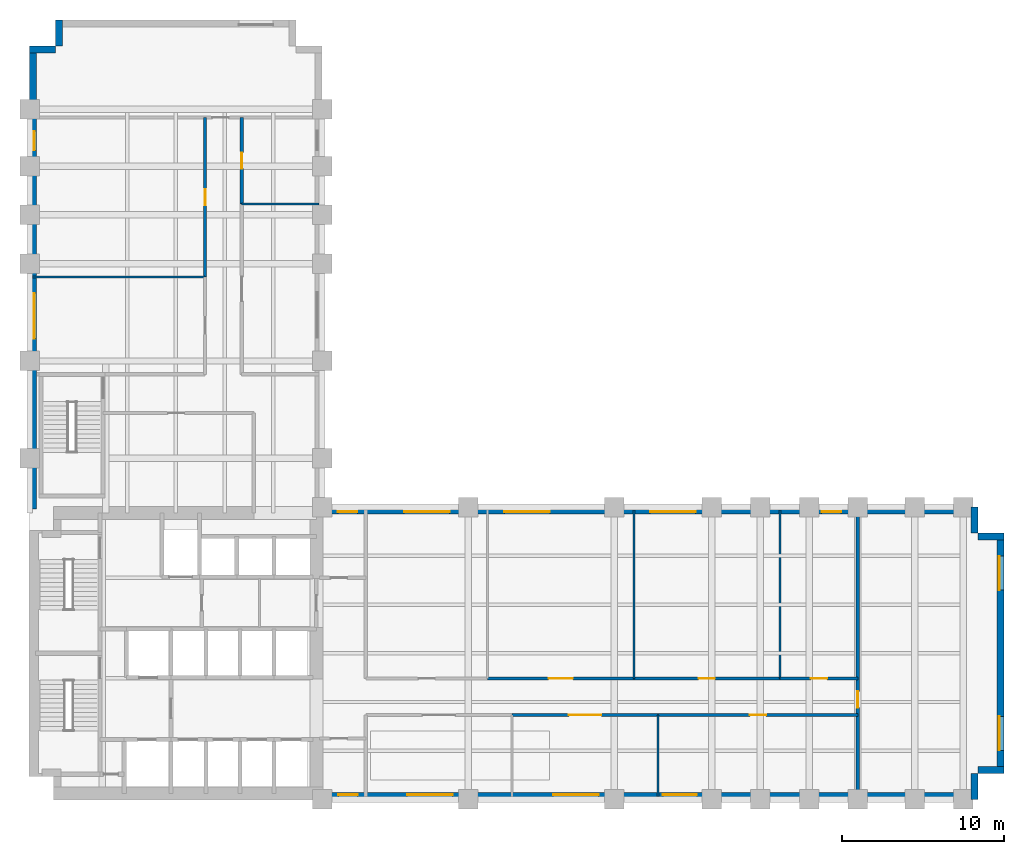
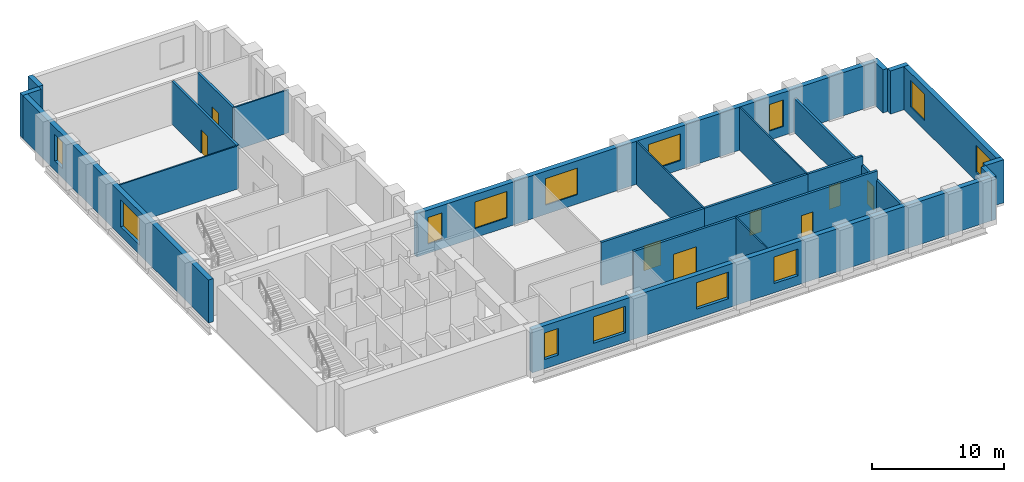
# One storey, part 5 of 7: 23 walls, 13 windows, 8 doors, 21 openings.
"""IFC4 building model written with IfcOpenShell, lengths in metres."""

from ifc_helpers import new_model, si_unit, direction, frame, frame_2d, origin, place, context, subcontext, project, spatial, rectangle, extrude, material, layer, layer_set, type_object, element, fill, save


model = new_model("IFC4")

# Units and contexts
model_context = context("Model", 3, precision=1e-05, world=origin(), true_north=direction((0.0, 1.0)))
body_context = subcontext(model_context, "Body", "Model", "MODEL_VIEW")
ifc_project = project(units=[si_unit("LENGTHUNIT", "METRE"), si_unit("AREAUNIT", "SQUARE_METRE"), si_unit("VOLUMEUNIT", "CUBIC_METRE"), si_unit("PLANEANGLEUNIT", "RADIAN"), si_unit("MASSUNIT", "GRAM", prefix="KILO")], contexts=[model_context])

# Site, building, storey
site_placement = place(None, origin())
site = spatial("IfcSite", under=ifc_project, at=site_placement, CompositionType="ELEMENT")
building_placement = place(site_placement, origin())
building = spatial("IfcBuilding", under=site, at=building_placement, Name="Mawjdan Bourse Tower", CompositionType="ELEMENT")
storey_placement = place(building_placement, frame((0.0, 0.0, 30.0)))
storey = spatial("IfcBuildingStorey", under=building, at=storey_placement, Name="L06", CompositionType="ELEMENT", Elevation=30.0)

# Wall, openings, windows
ifc_material_1 = material(Name="Brick Masonry Buff", Category="masonry")
ifc_layer_1 = layer(ifc_material_1, 0.419921875)
ifc_layer_set_1 = layer_set([ifc_layer_1], Name="Brick Masonry Buff")
wall_type_1 = type_object("IfcWallType", Name="WL-BRK-BUFF-420", PredefinedType="STANDARD", material=ifc_layer_set_1)
wall_1_placement = place(storey_placement, frame((23.89990234375, 3.2099609375, 0.0), z_axis=(0.0, 0.0, 1.0), x_axis=(1.0, 0.0, 0.0)))
wall_1 = element("IfcWall", 1, at=wall_1_placement, inside=storey, type_object=wall_type_1, Name="L06 Exterior Brick Wall 1", PredefinedType="STANDARD", context=body_context, shape_type="SweptSolid", body=[
    extrude(rectangle(XDim=40.5, YDim=0.419921875, at=frame_2d((20.25, 0.0))), origin(), (0.0, 0.0, 1.0), 3.97998046875),
])
opening_1_placement = place(wall_1_placement, frame((1.10009765625, 0.0, 0.85009765625)))
opening_1 = element("IfcOpeningElement", 2, at=opening_1_placement, cuts=wall_1, Name="Opening W-L06-07", PredefinedType="OPENING", context=body_context, shape_type="SweptSolid", body=[
    extrude(rectangle(XDim=1.199951171875, YDim=2.449951171875, at=frame_2d((0.60009765625, 1.22509765625))), frame((0.0, 0.219970703125, 0.0), z_axis=(0.0, -1.0, 0.0), x_axis=(1.0, 0.0, 0.0)), (0.0, 0.0, 1.0), 0.43994140625),
])
opening_2_placement = place(wall_1_placement, frame((5.336181640625, 0.0, 0.85009765625)))
opening_2 = element("IfcOpeningElement", 3, at=opening_2_placement, cuts=wall_1, Name="Opening W-L06-09", PredefinedType="OPENING", context=body_context, shape_type="SweptSolid", body=[
    extrude(rectangle(XDim=2.800048828125, YDim=2.449951171875, at=frame_2d((1.39990234375, 1.22509765625))), frame((0.0, 0.219970703125, 0.0), z_axis=(0.0, -1.0, 0.0), x_axis=(1.0, 0.0, 0.0)), (0.0, 0.0, 1.0), 0.43994140625),
])
opening_3_placement = place(wall_1_placement, frame((14.336181640625, 0.0, 0.85009765625)))
opening_3 = element("IfcOpeningElement", 4, at=opening_3_placement, cuts=wall_1, Name="Opening W-L06-10", PredefinedType="OPENING", context=body_context, shape_type="SweptSolid", body=[
    extrude(rectangle(XDim=2.800048828125, YDim=2.449951171875, at=frame_2d((1.39990234375, 1.22509765625))), frame((0.0, 0.219970703125, 0.0), z_axis=(0.0, -1.0, 0.0), x_axis=(1.0, 0.0, 0.0)), (0.0, 0.0, 1.0), 0.43994140625),
])
opening_4_placement = place(wall_1_placement, frame((21.086181640625, 0.0, 0.85009765625)))
opening_4 = element("IfcOpeningElement", 5, at=opening_4_placement, cuts=wall_1, Name="Opening W-L06-11", PredefinedType="OPENING", context=body_context, shape_type="SweptSolid", body=[
    extrude(rectangle(XDim=2.10009765625, YDim=2.449951171875, at=frame_2d((1.050048828125, 1.22509765625))), frame((0.0, 0.219970703125, 0.0), z_axis=(0.0, -1.0, 0.0), x_axis=(1.0, 0.0, 0.0)), (0.0, 0.0, 1.0), 0.43994140625),
])
ifc_material_2 = material(Name="Solar-Control Clear Double Glazing", Category="glass")
window_type_1 = type_object("IfcWindowType", Name="WN-TRD-1200", PartitioningType="SINGLE_PANEL", PredefinedType="WINDOW", material=ifc_material_2)
window_1_placement = place(opening_1_placement, origin())
window_1 = element("IfcWindow", 6, at=window_1_placement, inside=storey, type_object=window_type_1, Name="L06 Deep-Set Masonry Window W-L06-07", OverallHeight=2.449951171875, OverallWidth=1.199951171875, PartitioningType="SINGLE_PANEL", PredefinedType="WINDOW", context=body_context, shape_type="SweptSolid", body=[
    extrude(rectangle(XDim=1.199951171875, YDim=2.449951171875, at=frame_2d((0.60009765625, 1.22509765625))), frame((0.0, 0.110107421875, 0.0), z_axis=(0.0, -1.0, 0.0), x_axis=(1.0, 0.0, 0.0)), (0.0, 0.0, 1.0), 0.06005859375),
])
fill(opening_1, window_1)
window_type_2 = type_object("IfcWindowType", Name="WN-TRD-2100", PartitioningType="SINGLE_PANEL", PredefinedType="WINDOW", material=ifc_material_2)
window_2_placement = place(opening_4_placement, origin())
window_2 = element("IfcWindow", 7, at=window_2_placement, inside=storey, type_object=window_type_2, Name="L06 Deep-Set Masonry Window W-L06-11", OverallHeight=2.449951171875, OverallWidth=2.10009765625, PartitioningType="SINGLE_PANEL", PredefinedType="WINDOW", context=body_context, shape_type="SweptSolid", body=[
    extrude(rectangle(XDim=2.10009765625, YDim=2.449951171875, at=frame_2d((1.050048828125, 1.22509765625))), frame((0.0, 0.110107421875, 0.0), z_axis=(0.0, -1.0, 0.0), x_axis=(1.0, 0.0, 0.0)), (0.0, 0.0, 1.0), 0.06005859375),
])
fill(opening_4, window_2)
window_type_3 = type_object("IfcWindowType", Name="WN-TRD-2800", PartitioningType="SINGLE_PANEL", PredefinedType="WINDOW", material=ifc_material_2)
window_3_placement = place(opening_2_placement, origin())
window_3 = element("IfcWindow", 8, at=window_3_placement, inside=storey, type_object=window_type_3, Name="L06 Deep-Set Masonry Window W-L06-09", OverallHeight=2.449951171875, OverallWidth=2.800048828125, PartitioningType="SINGLE_PANEL", PredefinedType="WINDOW", context=body_context, shape_type="SweptSolid", body=[
    extrude(rectangle(XDim=2.800048828125, YDim=2.449951171875, at=frame_2d((1.39990234375, 1.22509765625))), frame((0.0, 0.110107421875, 0.0), z_axis=(0.0, -1.0, 0.0), x_axis=(1.0, 0.0, 0.0)), (0.0, 0.0, 1.0), 0.06005859375),
])
fill(opening_2, window_3)
window_4_placement = place(opening_3_placement, origin())
window_4 = element("IfcWindow", 9, at=window_4_placement, inside=storey, type_object=window_type_3, Name="L06 Deep-Set Masonry Window W-L06-10", OverallHeight=2.449951171875, OverallWidth=2.800048828125, PartitioningType="SINGLE_PANEL", PredefinedType="WINDOW", context=body_context, shape_type="SweptSolid", body=[
    extrude(rectangle(XDim=2.800048828125, YDim=2.449951171875, at=frame_2d((1.39990234375, 1.22509765625))), frame((0.0, 0.110107421875, 0.0), z_axis=(0.0, -1.0, 0.0), x_axis=(1.0, 0.0, 0.0)), (0.0, 0.0, 1.0), 0.06005859375),
])
fill(opening_3, window_4)

# Walls
for number, where, z_axis, x_axis, name in (
    (10, (64.18994140625, 3.0, 0.0), (0.0, 0.0, 1.0), (0.0, 1.0, 0.0), "L06 Exterior Brick Wall 2"),
    (11, (64.39990234375, 4.81005859375, 0.0), (0.0, 0.0, 1.0), (1.0, 0.0, 0.0), "L06 Exterior Brick Wall 3"),
):
    element("IfcWall", number, at=place(storey_placement, frame(where, z_axis=z_axis, x_axis=x_axis)), inside=storey, type_object=wall_type_1, Name=name, PredefinedType="STANDARD", context=body_context, shape_type="SweptSolid", body=[
        extrude(rectangle(XDim=1.60009765625, YDim=0.419921875, at=frame_2d((0.800048828125, 0.0))), origin(), (0.0, 0.0, 1.0), 3.97998046875),
    ])

# Wall, openings, windows
wall_2_placement = place(storey_placement, frame((65.7900390625, 4.60009765625, 0.0), z_axis=(0.0, 0.0, 1.0), x_axis=(0.0, 1.0, 0.0)))
wall_2 = element("IfcWall", 12, at=wall_2_placement, inside=storey, type_object=wall_type_1, Name="L06 Exterior Brick Wall 4", PredefinedType="STANDARD", context=body_context, shape_type="SweptSolid", body=[
    extrude(rectangle(XDim=14.7998046875, YDim=0.419921875, at=frame_2d((7.39990234375, 0.0))), origin(), (0.0, 0.0, 1.0), 3.97998046875),
])
opening_5_placement = place(wall_2_placement, frame((1.416748046875, 0.0, 0.85009765625)))
opening_5 = element("IfcOpeningElement", 13, at=opening_5_placement, cuts=wall_2, Name="Opening W-L06-01", PredefinedType="OPENING", context=body_context, shape_type="SweptSolid", body=[
    extrude(rectangle(XDim=2.10009765625, YDim=2.449951171875, at=frame_2d((1.050048828125, 1.22509765625))), frame((0.0, 0.219970703125, 0.0), z_axis=(0.0, -1.0, 0.0), x_axis=(1.0, 0.0, 0.0)), (0.0, 0.0, 1.0), 0.43994140625),
])
opening_6_placement = place(wall_2_placement, frame((11.283203125, 0.0, 0.85009765625)))
opening_6 = element("IfcOpeningElement", 14, at=opening_6_placement, cuts=wall_2, Name="Opening W-L06-02", PredefinedType="OPENING", context=body_context, shape_type="SweptSolid", body=[
    extrude(rectangle(XDim=2.10009765625, YDim=2.449951171875, at=frame_2d((1.050048828125, 1.22509765625))), frame((0.0, 0.219970703125, 0.0), z_axis=(0.0, -1.0, 0.0), x_axis=(1.0, 0.0, 0.0)), (0.0, 0.0, 1.0), 0.43994140625),
])
window_5_placement = place(opening_5_placement, origin())
window_5 = element("IfcWindow", 15, at=window_5_placement, inside=storey, type_object=window_type_2, Name="L06 Deep-Set Masonry Window W-L06-01", OverallHeight=2.449951171875, OverallWidth=2.10009765625, PartitioningType="SINGLE_PANEL", PredefinedType="WINDOW", context=body_context, shape_type="SweptSolid", body=[
    extrude(rectangle(XDim=2.10009765625, YDim=2.449951171875, at=frame_2d((1.050048828125, 1.22509765625))), frame((0.0, 0.110107421875, 0.0), z_axis=(0.0, -1.0, 0.0), x_axis=(1.0, 0.0, 0.0)), (0.0, 0.0, 1.0), 0.06005859375),
])
fill(opening_5, window_5)
window_6_placement = place(opening_6_placement, origin())
window_6 = element("IfcWindow", 16, at=window_6_placement, inside=storey, type_object=window_type_2, Name="L06 Deep-Set Masonry Window W-L06-02", OverallHeight=2.449951171875, OverallWidth=2.10009765625, PartitioningType="SINGLE_PANEL", PredefinedType="WINDOW", context=body_context, shape_type="SweptSolid", body=[
    extrude(rectangle(XDim=2.10009765625, YDim=2.449951171875, at=frame_2d((1.050048828125, 1.22509765625))), frame((0.0, 0.110107421875, 0.0), z_axis=(0.0, -1.0, 0.0), x_axis=(1.0, 0.0, 0.0)), (0.0, 0.0, 1.0), 0.06005859375),
])
fill(opening_6, window_6)

# Walls
for number, where, z_axis, x_axis, name in (
    (17, (66.0, 19.18994140625, 0.0), (0.0, 0.0, 1.0), (-1.0, 0.0, 0.0), "L06 Exterior Brick Wall 5"),
    (18, (64.18994140625, 19.39990234375, 0.0), (0.0, 0.0, 1.0), (0.0, 1.0, 0.0), "L06 Exterior Brick Wall 6"),
):
    element("IfcWall", number, at=place(storey_placement, frame(where, z_axis=z_axis, x_axis=x_axis)), inside=storey, type_object=wall_type_1, Name=name, PredefinedType="STANDARD", context=body_context, shape_type="SweptSolid", body=[
        extrude(rectangle(XDim=1.60009765625, YDim=0.419921875, at=frame_2d((0.800048828125, 0.0))), origin(), (0.0, 0.0, 1.0), 3.97998046875),
    ])

# Wall, openings, windows
wall_3_placement = place(storey_placement, frame((64.39990234375, 20.7900390625, 0.0), z_axis=(0.0, 0.0, 1.0), x_axis=(-1.0, 0.0, 0.0)))
wall_3 = element("IfcWall", 19, at=wall_3_placement, inside=storey, type_object=wall_type_1, Name="L06 Exterior Brick Wall 7", PredefinedType="STANDARD", context=body_context, shape_type="SweptSolid", body=[
    extrude(rectangle(XDim=40.39990234375, YDim=0.419921875, at=frame_2d((20.199951171875, 0.0))), origin(), (0.0, 0.0, 1.0), 3.97998046875),
])
opening_7_placement = place(wall_3_placement, frame((26.375, 0.0, 0.85009765625)))
opening_7 = element("IfcOpeningElement", 20, at=opening_7_placement, cuts=wall_3, Name="Opening W-L06-03", PredefinedType="OPENING", context=body_context, shape_type="SweptSolid", body=[
    extrude(rectangle(XDim=2.800048828125, YDim=2.449951171875, at=frame_2d((1.39990234375, 1.22509765625))), frame((0.0, 0.219970703125, 0.0), z_axis=(0.0, -1.0, 0.0), x_axis=(1.0, 0.0, 0.0)), (0.0, 0.0, 1.0), 0.43994140625),
])
opening_8_placement = place(wall_3_placement, frame((38.22216796875, 0.0, 0.85009765625)))
opening_8 = element("IfcOpeningElement", 21, at=opening_8_placement, cuts=wall_3, Name="Opening W-L06-08", PredefinedType="OPENING", context=body_context, shape_type="SweptSolid", body=[
    extrude(rectangle(XDim=1.199951171875, YDim=2.449951171875, at=frame_2d((0.60009765625, 1.22509765625))), frame((0.0, 0.219970703125, 0.0), z_axis=(0.0, -1.0, 0.0), x_axis=(1.0, 0.0, 0.0)), (0.0, 0.0, 1.0), 0.43994140625),
])
opening_9_placement = place(wall_3_placement, frame((32.5361328125, 0.0, 0.85009765625)))
opening_9 = element("IfcOpeningElement", 22, at=opening_9_placement, cuts=wall_3, Name="Opening W-L06-12", PredefinedType="OPENING", context=body_context, shape_type="SweptSolid", body=[
    extrude(rectangle(XDim=2.800048828125, YDim=2.449951171875, at=frame_2d((1.39990234375, 1.22509765625))), frame((0.0, 0.219970703125, 0.0), z_axis=(0.0, -1.0, 0.0), x_axis=(1.0, 0.0, 0.0)), (0.0, 0.0, 1.0), 0.43994140625),
])
opening_10_placement = place(wall_3_placement, frame((17.38623046875, 0.0, 0.85009765625)))
opening_10 = element("IfcOpeningElement", 23, at=opening_10_placement, cuts=wall_3, Name="Opening W-L06-13", PredefinedType="OPENING", context=body_context, shape_type="SweptSolid", body=[
    extrude(rectangle(XDim=2.800048828125, YDim=2.449951171875, at=frame_2d((1.39990234375, 1.22509765625))), frame((0.0, 0.219970703125, 0.0), z_axis=(0.0, -1.0, 0.0), x_axis=(1.0, 0.0, 0.0)), (0.0, 0.0, 1.0), 0.43994140625),
])
opening_11_placement = place(wall_3_placement, frame((8.436279296875, 0.0, 0.85009765625)))
opening_11 = element("IfcOpeningElement", 24, at=opening_11_placement, cuts=wall_3, Name="Opening W-L06-14", PredefinedType="OPENING", context=body_context, shape_type="SweptSolid", body=[
    extrude(rectangle(XDim=1.199951171875, YDim=2.449951171875, at=frame_2d((0.60009765625, 1.22509765625))), frame((0.0, 0.219970703125, 0.0), z_axis=(0.0, -1.0, 0.0), x_axis=(1.0, 0.0, 0.0)), (0.0, 0.0, 1.0), 0.43994140625),
])
window_7_placement = place(opening_8_placement, origin())
window_7 = element("IfcWindow", 25, at=window_7_placement, inside=storey, type_object=window_type_1, Name="L06 Deep-Set Masonry Window W-L06-08", OverallHeight=2.449951171875, OverallWidth=1.199951171875, PartitioningType="SINGLE_PANEL", PredefinedType="WINDOW", context=body_context, shape_type="SweptSolid", body=[
    extrude(rectangle(XDim=1.199951171875, YDim=2.449951171875, at=frame_2d((0.60009765625, 1.22509765625))), frame((0.0, 0.110107421875, 0.0), z_axis=(0.0, -1.0, 0.0), x_axis=(1.0, 0.0, 0.0)), (0.0, 0.0, 1.0), 0.06005859375),
])
fill(opening_8, window_7)
window_8_placement = place(opening_11_placement, origin())
window_8 = element("IfcWindow", 26, at=window_8_placement, inside=storey, type_object=window_type_1, Name="L06 Deep-Set Masonry Window W-L06-14", OverallHeight=2.449951171875, OverallWidth=1.199951171875, PartitioningType="SINGLE_PANEL", PredefinedType="WINDOW", context=body_context, shape_type="SweptSolid", body=[
    extrude(rectangle(XDim=1.199951171875, YDim=2.449951171875, at=frame_2d((0.60009765625, 1.22509765625))), frame((0.0, 0.110107421875, 0.0), z_axis=(0.0, -1.0, 0.0), x_axis=(1.0, 0.0, 0.0)), (0.0, 0.0, 1.0), 0.06005859375),
])
fill(opening_11, window_8)
window_9_placement = place(opening_7_placement, origin())
window_9 = element("IfcWindow", 27, at=window_9_placement, inside=storey, type_object=window_type_3, Name="L06 Deep-Set Masonry Window W-L06-03", OverallHeight=2.449951171875, OverallWidth=2.800048828125, PartitioningType="SINGLE_PANEL", PredefinedType="WINDOW", context=body_context, shape_type="SweptSolid", body=[
    extrude(rectangle(XDim=2.800048828125, YDim=2.449951171875, at=frame_2d((1.39990234375, 1.22509765625))), frame((0.0, 0.110107421875, 0.0), z_axis=(0.0, -1.0, 0.0), x_axis=(1.0, 0.0, 0.0)), (0.0, 0.0, 1.0), 0.06005859375),
])
fill(opening_7, window_9)
window_10_placement = place(opening_9_placement, origin())
window_10 = element("IfcWindow", 28, at=window_10_placement, inside=storey, type_object=window_type_3, Name="L06 Deep-Set Masonry Window W-L06-12", OverallHeight=2.449951171875, OverallWidth=2.800048828125, PartitioningType="SINGLE_PANEL", PredefinedType="WINDOW", context=body_context, shape_type="SweptSolid", body=[
    extrude(rectangle(XDim=2.800048828125, YDim=2.449951171875, at=frame_2d((1.39990234375, 1.22509765625))), frame((0.0, 0.110107421875, 0.0), z_axis=(0.0, -1.0, 0.0), x_axis=(1.0, 0.0, 0.0)), (0.0, 0.0, 1.0), 0.06005859375),
])
fill(opening_9, window_10)
window_11_placement = place(opening_10_placement, origin())
window_11 = element("IfcWindow", 29, at=window_11_placement, inside=storey, type_object=window_type_3, Name="L06 Deep-Set Masonry Window W-L06-13", OverallHeight=2.449951171875, OverallWidth=2.800048828125, PartitioningType="SINGLE_PANEL", PredefinedType="WINDOW", context=body_context, shape_type="SweptSolid", body=[
    extrude(rectangle(XDim=2.800048828125, YDim=2.449951171875, at=frame_2d((1.39990234375, 1.22509765625))), frame((0.0, 0.110107421875, 0.0), z_axis=(0.0, -1.0, 0.0), x_axis=(1.0, 0.0, 0.0)), (0.0, 0.0, 1.0), 0.06005859375),
])
fill(opening_10, window_11)

# Walls
for number, where, z_axis, x_axis, name in (
    (30, (7.81005859375, 51.0, 0.0), (0.0, 0.0, 1.0), (0.0, -1.0, 0.0), "L06 Exterior Brick Wall 12"),
    (31, (7.60009765625, 49.18994140625, 0.0), (0.0, 0.0, 1.0), (-1.0, 0.0, 0.0), "L06 Exterior Brick Wall 13"),
):
    element("IfcWall", number, at=place(storey_placement, frame(where, z_axis=z_axis, x_axis=x_axis)), inside=storey, type_object=wall_type_1, Name=name, PredefinedType="STANDARD", context=body_context, shape_type="SweptSolid", body=[
        extrude(rectangle(XDim=1.60009765625, YDim=0.419921875, at=frame_2d((0.800048828125, 0.0))), origin(), (0.0, 0.0, 1.0), 3.97998046875),
    ])

# Wall, openings, windows
wall_4_placement = place(storey_placement, frame((6.2099609375, 49.39990234375, 0.0), z_axis=(0.0, 0.0, 1.0), x_axis=(0.0, -1.0, 0.0)))
wall_4 = element("IfcWall", 32, at=wall_4_placement, inside=storey, type_object=wall_type_1, Name="L06 Exterior Brick Wall 14", PredefinedType="STANDARD", context=body_context, shape_type="SweptSolid", body=[
    extrude(rectangle(XDim=28.5, YDim=0.419921875, at=frame_2d((14.25, 0.0))), origin(), (0.0, 0.0, 1.0), 3.97998046875),
])
opening_12_placement = place(wall_4_placement, frame((15.22509765625, 0.0, 0.85009765625)))
opening_12 = element("IfcOpeningElement", 33, at=opening_12_placement, cuts=wall_4, Name="Opening W-L06-06", PredefinedType="OPENING", context=body_context, shape_type="SweptSolid", body=[
    extrude(rectangle(XDim=2.800048828125, YDim=2.449951171875, at=frame_2d((1.39990234375, 1.22509765625))), frame((0.0, 0.219970703125, 0.0), z_axis=(0.0, -1.0, 0.0), x_axis=(1.0, 0.0, 0.0)), (0.0, 0.0, 1.0), 0.43994140625),
])
opening_13_placement = place(wall_4_placement, frame((5.236083984375, 0.0, 0.85009765625)))
opening_13 = element("IfcOpeningElement", 34, at=opening_13_placement, cuts=wall_4, Name="Opening W-L06-15", PredefinedType="OPENING", context=body_context, shape_type="SweptSolid", body=[
    extrude(rectangle(XDim=1.199951171875, YDim=2.449951171875, at=frame_2d((0.60009765625, 1.22509765625))), frame((0.0, 0.219970703125, 0.0), z_axis=(0.0, -1.0, 0.0), x_axis=(1.0, 0.0, 0.0)), (0.0, 0.0, 1.0), 0.43994140625),
])
window_12_placement = place(opening_13_placement, origin())
window_12 = element("IfcWindow", 35, at=window_12_placement, inside=storey, type_object=window_type_1, Name="L06 Deep-Set Masonry Window W-L06-15", OverallHeight=2.449951171875, OverallWidth=1.199951171875, PartitioningType="SINGLE_PANEL", PredefinedType="WINDOW", context=body_context, shape_type="SweptSolid", body=[
    extrude(rectangle(XDim=1.199951171875, YDim=2.449951171875, at=frame_2d((0.60009765625, 1.22509765625))), frame((0.0, 0.110107421875, 0.0), z_axis=(0.0, -1.0, 0.0), x_axis=(1.0, 0.0, 0.0)), (0.0, 0.0, 1.0), 0.06005859375),
])
fill(opening_13, window_12)
window_13_placement = place(opening_12_placement, origin())
window_13 = element("IfcWindow", 36, at=window_13_placement, inside=storey, type_object=window_type_3, Name="L06 Deep-Set Masonry Window W-L06-06", OverallHeight=2.449951171875, OverallWidth=2.800048828125, PartitioningType="SINGLE_PANEL", PredefinedType="WINDOW", context=body_context, shape_type="SweptSolid", body=[
    extrude(rectangle(XDim=2.800048828125, YDim=2.449951171875, at=frame_2d((1.39990234375, 1.22509765625))), frame((0.0, 0.110107421875, 0.0), z_axis=(0.0, -1.0, 0.0), x_axis=(1.0, 0.0, 0.0)), (0.0, 0.0, 1.0), 0.06005859375),
])
fill(opening_12, window_13)

# Wall, opening, door
ifc_material_3 = material(Name="Gypsum Fireboard Assembly")
ifc_layer_2 = layer(ifc_material_3, 0.199951171875)
ifc_layer_set_2 = layer_set([ifc_layer_2], Name="Gypsum Fireboard Assembly")
wall_type_2 = type_object("IfcWallType", Name="WL-CMP-200", PredefinedType="PARTITIONING", material=ifc_layer_set_2)
wall_5_placement = place(storey_placement, frame((35.699951171875, 8.199951171875, 0.0), z_axis=(0.0, 0.0, 1.0), x_axis=(1.0, 0.0, 0.0)))
wall_5 = element("IfcWall", 37, at=wall_5_placement, inside=storey, type_object=wall_type_2, Name="L06 Derivatives Dealing Hall Corridor Wall", PredefinedType="PARTITIONING", context=body_context, shape_type="SweptSolid", body=[
    extrude(rectangle(XDim=9.0, YDim=0.199951171875, at=frame_2d((4.5, 0.0))), origin(), (0.0, 0.0, 1.0), 3.969970703125),
])
opening_14_placement = place(wall_5_placement, frame((3.5, 0.0, 0.0)))
opening_14 = element("IfcOpeningElement", 38, at=opening_14_placement, cuts=wall_5, Name="Opening D-L06-20", PredefinedType="OPENING", context=body_context, shape_type="SweptSolid", body=[
    extrude(rectangle(XDim=2.0, YDim=2.5, at=frame_2d((1.0, 1.25))), frame((0.0, 0.10986328125, 0.0), z_axis=(0.0, -1.0, 0.0), x_axis=(1.0, 0.0, 0.0)), (0.0, 0.0, 1.0), 0.219970703125),
])
ifc_material_4 = material(Name="Acoustic Veneered Timber", Category="wood")
door_type_1 = type_object("IfcDoorType", Name="DR-ASM-2000", OperationType="DOUBLE_DOOR_SINGLE_SWING", PredefinedType="DOOR", material=ifc_material_4)
door_1_placement = place(opening_14_placement, origin())
door_1 = element("IfcDoor", 39, at=door_1_placement, inside=storey, type_object=door_type_1, Name="L06 Derivatives Dealing Hall Door D-L06-20", OperationType="DOUBLE_DOOR_SINGLE_SWING", OverallHeight=2.5, OverallWidth=2.0, PredefinedType="DOOR", context=body_context, shape_type="SweptSolid", body=[
    extrude(rectangle(XDim=2.0, YDim=2.5, at=frame_2d((1.0, 1.25))), frame((0.0, 0.02490234375, 0.0), z_axis=(0.0, -1.0, 0.0), x_axis=(1.0, 0.0, 0.0)), (0.0, 0.0, 1.0), 0.050048828125),
])
fill(opening_14, door_1)

wall_6_placement = place(storey_placement, frame((44.699951171875, 8.199951171875, 0.0), z_axis=(0.0, 0.0, 1.0), x_axis=(1.0, 0.0, 0.0)))
wall_6 = element("IfcWall", 40, at=wall_6_placement, inside=storey, type_object=wall_type_2, Name="L06 Executive Office Corridor Wall", PredefinedType="PARTITIONING", context=body_context, shape_type="SweptSolid", body=[
    extrude(rectangle(XDim=12.300048828125, YDim=0.199951171875, at=frame_2d((6.14990234375, 0.0))), origin(), (0.0, 0.0, 1.0), 3.969970703125),
])
opening_15_placement = place(wall_6_placement, frame((5.64990234375, 0.0, 0.0)))
opening_15 = element("IfcOpeningElement", 41, at=opening_15_placement, cuts=wall_6, Name="Opening D-L06-21", PredefinedType="OPENING", context=body_context, shape_type="SweptSolid", body=[
    extrude(rectangle(XDim=1.0, YDim=2.14990234375, at=frame_2d((0.5, 1.074951171875))), frame((0.0, 0.10986328125, 0.0), z_axis=(0.0, -1.0, 0.0), x_axis=(1.0, 0.0, 0.0)), (0.0, 0.0, 1.0), 0.219970703125),
])
ifc_material_5 = material(Name="Hardwood Acoustic Leaf", Category="wood")
door_type_2 = type_object("IfcDoorType", Name="DR-OFC-1000", OperationType="NOTDEFINED", PredefinedType="DOOR", material=ifc_material_5)
door_2_placement = place(opening_15_placement, origin())
door_2 = element("IfcDoor", 42, at=door_2_placement, inside=storey, type_object=door_type_2, Name="L06 Executive Office Door D-L06-21", OperationType="SINGLE_SWING_RIGHT", OverallHeight=2.14990234375, OverallWidth=1.0, PredefinedType="DOOR", context=body_context, shape_type="SweptSolid", body=[
    extrude(rectangle(XDim=1.0, YDim=2.14990234375, at=frame_2d((0.5, 1.074951171875))), frame((0.0, 0.02490234375, 0.0), z_axis=(0.0, -1.0, 0.0), x_axis=(1.0, 0.0, 0.0)), (0.0, 0.0, 1.0), 0.050048828125),
])
fill(opening_15, door_2)

wall_7_placement = place(storey_placement, frame((34.199951171875, 10.449951171875, 0.0), z_axis=(0.0, 0.0, 1.0), x_axis=(1.0, 0.0, 0.0)))
wall_7 = element("IfcWall", 43, at=wall_7_placement, inside=storey, type_object=wall_type_2, Name="L06 Conference Room Corridor Wall", PredefinedType="PARTITIONING", context=body_context, shape_type="SweptSolid", body=[
    extrude(rectangle(XDim=9.0, YDim=0.199951171875, at=frame_2d((4.5, 0.0))), origin(), (0.0, 0.0, 1.0), 3.969970703125),
])
opening_16_placement = place(wall_7_placement, frame((3.75, 0.0, 0.0)))
opening_16 = element("IfcOpeningElement", 44, at=opening_16_placement, cuts=wall_7, Name="Opening D-L06-23", PredefinedType="OPENING", context=body_context, shape_type="SweptSolid", body=[
    extrude(rectangle(XDim=1.5, YDim=2.300048828125, at=frame_2d((0.75, 1.14990234375))), frame((0.0, 0.10986328125, 0.0), z_axis=(0.0, -1.0, 0.0), x_axis=(1.0, 0.0, 0.0)), (0.0, 0.0, 1.0), 0.219970703125),
])
ifc_material_6 = material(Name="Acoustic Glazed Timber", Category="wood")
door_type_3 = type_object("IfcDoorType", Name="DR-CNF-1500", OperationType="DOUBLE_DOOR_SINGLE_SWING", PredefinedType="DOOR", material=ifc_material_6)
door_3_placement = place(opening_16_placement, origin())
door_3 = element("IfcDoor", 45, at=door_3_placement, inside=storey, type_object=door_type_3, Name="L06 Conference Room Door D-L06-23", OperationType="DOUBLE_DOOR_SINGLE_SWING", OverallHeight=2.300048828125, OverallWidth=1.5, PredefinedType="DOOR", context=body_context, shape_type="SweptSolid", body=[
    extrude(rectangle(XDim=1.5, YDim=2.300048828125, at=frame_2d((0.75, 1.14990234375))), frame((0.0, 0.02490234375, 0.0), z_axis=(0.0, -1.0, 0.0), x_axis=(1.0, 0.0, 0.0)), (0.0, 0.0, 1.0), 0.050048828125),
])
fill(opening_16, door_3)

wall_8_placement = place(storey_placement, frame((43.199951171875, 10.449951171875, 0.0), z_axis=(0.0, 0.0, 1.0), x_axis=(1.0, 0.0, 0.0)))
wall_8 = element("IfcWall", 46, at=wall_8_placement, inside=storey, type_object=wall_type_2, Name="L06 Client Meeting Room Corridor Wall", PredefinedType="PARTITIONING", context=body_context, shape_type="SweptSolid", body=[
    extrude(rectangle(XDim=9.0, YDim=0.199951171875, at=frame_2d((4.5, 0.0))), origin(), (0.0, 0.0, 1.0), 3.969970703125),
])
opening_17_placement = place(wall_8_placement, frame((4.0, 0.0, 0.0)))
opening_17 = element("IfcOpeningElement", 47, at=opening_17_placement, cuts=wall_8, Name="Opening D-L06-24", PredefinedType="OPENING", context=body_context, shape_type="SweptSolid", body=[
    extrude(rectangle(XDim=1.0, YDim=2.14990234375, at=frame_2d((0.5, 1.074951171875))), frame((0.0, 0.10986328125, 0.0), z_axis=(0.0, -1.0, 0.0), x_axis=(1.0, 0.0, 0.0)), (0.0, 0.0, 1.0), 0.219970703125),
])
door_4_placement = place(opening_17_placement, origin())
door_4 = element("IfcDoor", 48, at=door_4_placement, inside=storey, type_object=door_type_2, Name="L06 Client Meeting Room Door D-L06-24", OperationType="SINGLE_SWING_RIGHT", OverallHeight=2.14990234375, OverallWidth=1.0, PredefinedType="DOOR", context=body_context, shape_type="SweptSolid", body=[
    extrude(rectangle(XDim=1.0, YDim=2.14990234375, at=frame_2d((0.5, 1.074951171875))), frame((0.0, 0.02490234375, 0.0), z_axis=(0.0, -1.0, 0.0), x_axis=(1.0, 0.0, 0.0)), (0.0, 0.0, 1.0), 0.050048828125),
])
fill(opening_17, door_4)

wall_9_placement = place(storey_placement, frame((52.199951171875, 10.449951171875, 0.0), z_axis=(0.0, 0.0, 1.0), x_axis=(1.0, 0.0, 0.0)))
wall_9 = element("IfcWall", 49, at=wall_9_placement, inside=storey, type_object=wall_type_2, Name="L06 Staff Tea Pantry Corridor Wall", PredefinedType="PARTITIONING", context=body_context, shape_type="SweptSolid", body=[
    extrude(rectangle(XDim=4.800048828125, YDim=0.199951171875, at=frame_2d((2.39990234375, 0.0))), origin(), (0.0, 0.0, 1.0), 3.969970703125),
])
opening_18_placement = place(wall_9_placement, frame((1.89990234375, 0.0, 0.0)))
opening_18 = element("IfcOpeningElement", 50, at=opening_18_placement, cuts=wall_9, Name="Opening D-L06-25", PredefinedType="OPENING", context=body_context, shape_type="SweptSolid", body=[
    extrude(rectangle(XDim=1.0, YDim=2.14990234375, at=frame_2d((0.5, 1.074951171875))), frame((0.0, 0.10986328125, 0.0), z_axis=(0.0, -1.0, 0.0), x_axis=(1.0, 0.0, 0.0)), (0.0, 0.0, 1.0), 0.219970703125),
])
door_5_placement = place(opening_18_placement, origin())
door_5 = element("IfcDoor", 51, at=door_5_placement, inside=storey, type_object=door_type_2, Name="L06 Staff Tea Pantry Door D-L06-25", OperationType="SINGLE_SWING_LEFT", OverallHeight=2.14990234375, OverallWidth=1.0, PredefinedType="DOOR", context=body_context, shape_type="SweptSolid", body=[
    extrude(rectangle(XDim=1.0, YDim=2.14990234375, at=frame_2d((0.5, 1.074951171875))), frame((0.0, 0.02490234375, 0.0), z_axis=(0.0, -1.0, 0.0), x_axis=(1.0, 0.0, 0.0)), (0.0, 0.0, 1.0), 0.050048828125),
])
fill(opening_18, door_5)

wall_10_placement = place(storey_placement, frame((57.0, 3.179931640625, 0.0), z_axis=(0.0, 0.0, 1.0), x_axis=(0.0, 1.0, 0.0)))
wall_10 = element("IfcWall", 52, at=wall_10_placement, inside=storey, type_object=wall_type_2, Name="L06 East Tip Full Cross Wall", PredefinedType="PARTITIONING", context=body_context, shape_type="SweptSolid", body=[
    extrude(rectangle(XDim=17.64013671875, YDim=0.199951171875, at=frame_2d((8.820068359375, 0.0))), origin(), (0.0, 0.0, 1.0), 3.114013671875),
])
opening_19_placement = place(wall_10_placement, frame((5.47509765625, 0.0, 0.0)))
opening_19 = element("IfcOpeningElement", 53, at=opening_19_placement, cuts=wall_10, Name="Opening D-L06-26", PredefinedType="OPENING", context=body_context, shape_type="SweptSolid", body=[
    extrude(rectangle(XDim=1.0, YDim=2.14990234375, at=frame_2d((0.5, 1.074951171875))), frame((0.0, 0.10986328125, 0.0), z_axis=(0.0, -1.0, 0.0), x_axis=(1.0, 0.0, 0.0)), (0.0, 0.0, 1.0), 0.219970703125),
])
door_6_placement = place(opening_19_placement, origin())
door_6 = element("IfcDoor", 54, at=door_6_placement, inside=storey, type_object=door_type_2, Name="L06 East Tip Hall Door D-L06-26", OperationType="SINGLE_SWING_RIGHT", OverallHeight=2.14990234375, OverallWidth=1.0, PredefinedType="DOOR", context=body_context, shape_type="SweptSolid", body=[
    extrude(rectangle(XDim=1.0, YDim=2.14990234375, at=frame_2d((0.5, 1.074951171875))), frame((0.0, 0.02490234375, 0.0), z_axis=(0.0, -1.0, 0.0), x_axis=(1.0, 0.0, 0.0)), (0.0, 0.0, 1.0), 0.050048828125),
])
fill(opening_19, door_6)

wall_11_placement = place(storey_placement, frame((16.800048828125, 35.179931640625, 0.0), z_axis=(0.0, 0.0, 1.0), x_axis=(0.0, 1.0, 0.0)))
wall_11 = element("IfcWall", 55, at=wall_11_placement, inside=storey, type_object=wall_type_2, Name="L06 Executive Office Corridor Wall", PredefinedType="PARTITIONING", context=body_context, shape_type="SweptSolid", body=[
    extrude(rectangle(XDim=9.820068359375, YDim=0.199951171875, at=frame_2d((4.91015625, 0.0))), origin(), (0.0, 0.0, 1.0), 3.969970703125),
])
opening_20_placement = place(wall_11_placement, frame((4.409912109375, 0.0, 0.0)))
opening_20 = element("IfcOpeningElement", 56, at=opening_20_placement, cuts=wall_11, Name="Opening D-L06-29", PredefinedType="OPENING", context=body_context, shape_type="SweptSolid", body=[
    extrude(rectangle(XDim=1.0, YDim=2.14990234375, at=frame_2d((0.5, 1.074951171875))), frame((0.0, 0.10986328125, 0.0), z_axis=(0.0, -1.0, 0.0), x_axis=(1.0, 0.0, 0.0)), (0.0, 0.0, 1.0), 0.219970703125),
])
door_7_placement = place(opening_20_placement, origin())
door_7 = element("IfcDoor", 57, at=door_7_placement, inside=storey, type_object=door_type_2, Name="L06 Executive Office Door D-L06-29", OperationType="SINGLE_SWING_LEFT", OverallHeight=2.14990234375, OverallWidth=1.0, PredefinedType="DOOR", context=body_context, shape_type="SweptSolid", body=[
    extrude(rectangle(XDim=1.0, YDim=2.14990234375, at=frame_2d((0.5, 1.074951171875))), frame((0.0, 0.02490234375, 0.0), z_axis=(0.0, -1.0, 0.0), x_axis=(1.0, 0.0, 0.0)), (0.0, 0.0, 1.0), 0.050048828125),
])
fill(opening_20, door_7)

wall_12_placement = place(storey_placement, frame((19.050048828125, 39.679931640625, 0.0), z_axis=(0.0, 0.0, 1.0), x_axis=(0.0, 1.0, 0.0)))
wall_12 = element("IfcWall", 58, at=wall_12_placement, inside=storey, type_object=wall_type_2, Name="L06 Client Meeting Room Corridor Wall", PredefinedType="PARTITIONING", context=body_context, shape_type="SweptSolid", body=[
    extrude(rectangle(XDim=5.320068359375, YDim=0.199951171875, at=frame_2d((2.66015625, 0.0))), origin(), (0.0, 0.0, 1.0), 3.969970703125),
])
opening_21_placement = place(wall_12_placement, frame((2.159912109375, 0.0, 0.0)))
opening_21 = element("IfcOpeningElement", 59, at=opening_21_placement, cuts=wall_12, Name="Opening D-L06-31", PredefinedType="OPENING", context=body_context, shape_type="SweptSolid", body=[
    extrude(rectangle(XDim=1.0, YDim=2.14990234375, at=frame_2d((0.5, 1.074951171875))), frame((0.0, 0.10986328125, 0.0), z_axis=(0.0, -1.0, 0.0), x_axis=(1.0, 0.0, 0.0)), (0.0, 0.0, 1.0), 0.219970703125),
])
door_8_placement = place(opening_21_placement, origin())
door_8 = element("IfcDoor", 60, at=door_8_placement, inside=storey, type_object=door_type_2, Name="L06 Client Meeting Room Door D-L06-31", OperationType="SINGLE_SWING_RIGHT", OverallHeight=2.14990234375, OverallWidth=1.0, PredefinedType="DOOR", context=body_context, shape_type="SweptSolid", body=[
    extrude(rectangle(XDim=1.0, YDim=2.14990234375, at=frame_2d((0.5, 1.074951171875))), frame((0.0, 0.02490234375, 0.0), z_axis=(0.0, -1.0, 0.0), x_axis=(1.0, 0.0, 0.0)), (0.0, 0.0, 1.0), 0.050048828125),
])
fill(opening_21, door_8)

# Walls
ifc_material_7 = material(Name="Gypsum Partition")
ifc_layer_3 = layer(ifc_material_7, 0.125)
ifc_layer_set_3 = layer_set([ifc_layer_3], Name="Gypsum Partition")
wall_type_3 = type_object("IfcWallType", Name="WL-PRT-125", PredefinedType="PARTITIONING", material=ifc_layer_set_3)
wall_13_placement = place(storey_placement, frame((44.699951171875, 3.179931640625, 0.0), z_axis=(0.0, 0.0, 1.0), x_axis=(0.0, 1.0, 0.0)))
element("IfcWall", 61, at=wall_13_placement, inside=storey, type_object=wall_type_3, Name="L06 Executive Office Partition", PredefinedType="PARTITIONING", context=body_context, shape_type="SweptSolid", body=[
    extrude(rectangle(XDim=5.02001953125, YDim=0.125, at=frame_2d((2.510009765625, 0.0))), origin(), (0.0, 0.0, 1.0), 3.969970703125),
])
for number, where, z_axis, x_axis, name in (
    (62, (43.199951171875, 10.449951171875, 0.0), (0.0, 0.0, 1.0), (0.0, 1.0, 0.0), "L06 Client Meeting Room Partition"),
    (63, (52.199951171875, 10.449951171875, 0.0), (0.0, 0.0, 1.0), (0.0, 1.0, 0.0), "L06 Staff Tea Pantry Partition"),
):
    element("IfcWall", number, at=place(storey_placement, frame(where, z_axis=z_axis, x_axis=x_axis)), inside=storey, type_object=wall_type_3, Name=name, PredefinedType="PARTITIONING", context=body_context, shape_type="SweptSolid", body=[
        extrude(rectangle(XDim=10.3701171875, YDim=0.125, at=frame_2d((5.18505859375, 0.0))), origin(), (0.0, 0.0, 1.0), 3.969970703125),
    ])
wall_14_placement = place(storey_placement, frame((6.179931640625, 35.179931640625, 0.0), z_axis=(0.0, 0.0, 1.0), x_axis=(1.0, 0.0, 0.0)))
element("IfcWall", 64, at=wall_14_placement, inside=storey, type_object=wall_type_3, Name="L06 Executive Office Partition", PredefinedType="PARTITIONING", context=body_context, shape_type="SweptSolid", body=[
    extrude(rectangle(XDim=10.6201171875, YDim=0.125, at=frame_2d((5.31005859375, 0.0))), origin(), (0.0, 0.0, 1.0), 3.969970703125),
])
wall_15_placement = place(storey_placement, frame((19.050048828125, 39.679931640625, 0.0), z_axis=(0.0, 0.0, 1.0), x_axis=(1.0, 0.0, 0.0)))
element("IfcWall", 65, at=wall_15_placement, inside=storey, type_object=wall_type_3, Name="L06 Client Meeting Room Partition", PredefinedType="PARTITIONING", context=body_context, shape_type="SweptSolid", body=[
    extrude(rectangle(XDim=4.77001953125, YDim=0.125, at=frame_2d((2.385009765625, 0.0))), origin(), (0.0, 0.0, 1.0), 3.969970703125),
])

save(model, "model.ifc")
